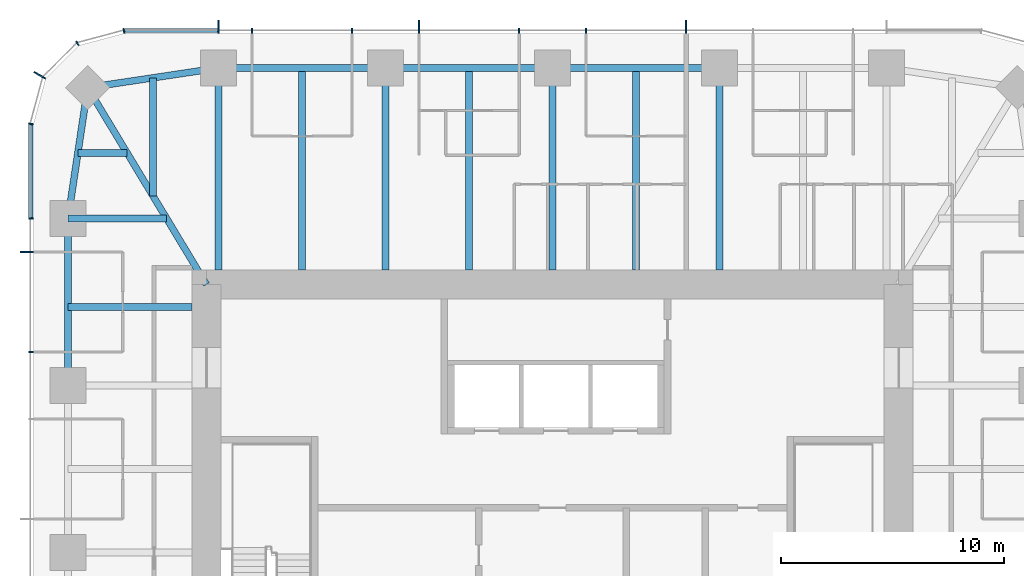
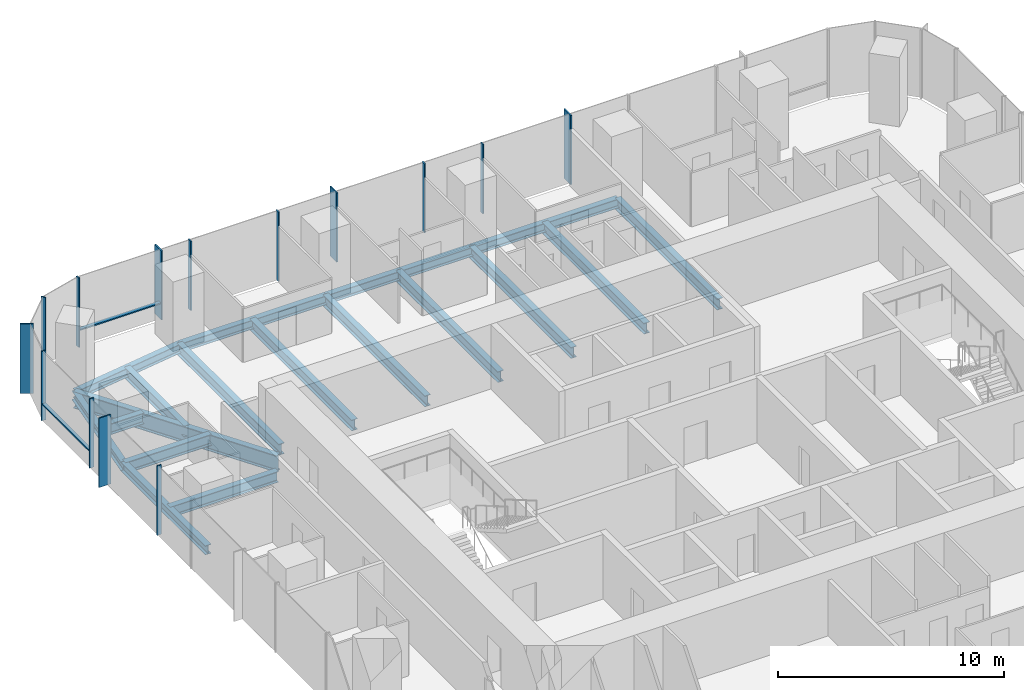
# One storey, part 5 of 12: 18 beams, 16 members, 3 elements without a shape of their own.
"""IFC4 building model written with IfcOpenShell, lengths in metres."""

from ifc_helpers import new_model, si_unit, direction, frame, origin, origin_2d, place, context, subcontext, project, spatial, rectangle, i_section, extrude, material, material_profile, profile_set, type_object, element, aggregate, save


model = new_model("IFC4")

# Units and contexts
model_context = context("Model", 3, precision=1e-05, world=origin(), true_north=direction((0.0, 1.0)))
body_context = subcontext(model_context, "Body", "Model", "MODEL_VIEW")
ifc_project = project(units=[si_unit("LENGTHUNIT", "METRE"), si_unit("AREAUNIT", "SQUARE_METRE"), si_unit("VOLUMEUNIT", "CUBIC_METRE"), si_unit("PLANEANGLEUNIT", "RADIAN"), si_unit("MASSUNIT", "GRAM", prefix="KILO")], contexts=[model_context])

# Site, building, storey
site_placement = place(None, origin())
site = spatial("IfcSite", under=ifc_project, at=site_placement, CompositionType="ELEMENT")
building_placement = place(site_placement, origin())
building = spatial("IfcBuilding", under=site, at=building_placement, Name="Khuree Lantern Residences", CompositionType="ELEMENT")
storey_placement = place(building_placement, frame((0.0, 0.0, 323.25)))
storey = spatial("IfcBuildingStorey", under=building, at=storey_placement, Name="L81", CompositionType="ELEMENT", Elevation=323.25)

# Beams
ifc_material_1 = material(Name="Steel S355", Category="steel")
ifc_material_profile_1 = material_profile(ifc_material_1, i_section(OverallWidth=0.300048828125, OverallDepth=0.590087890625, WebThickness=0.012939453125, FlangeThickness=0.02490234375, FilletRadius=0.027099609375, at=origin_2d()), Name="HE 600 A")
ifc_profile_set_1 = profile_set([ifc_material_profile_1], Name="Steel S355")
beam_type_1 = type_object("IfcBeamType", Name="B-43 SECONDARY BEAM HE 600 A", PredefinedType="BEAM", material=ifc_profile_set_1)
for number, where, z_axis, x_axis, name in (
    (1, (-11.219970703125, 21.699951171875, -0.544921875), (0.0, -1.0, 0.0), (1.0, 0.0, 0.0), "Secondary beam N1"),
    (2, (-3.739990234375, 21.699951171875, -0.544921875), (0.0, -1.0, 0.0), (1.0, 0.0, 0.0), "Secondary beam N2"),
    (3, (3.739990234375, 21.699951171875, -0.544921875), (0.0, -1.0, 0.0), (1.0, 0.0, 0.0), "Secondary beam N3"),
):
    element("IfcBeam", number, at=place(storey_placement, frame(where, z_axis=z_axis, x_axis=x_axis)), inside=storey, type_object=beam_type_1, Name=name, PredefinedType="BEAM", context=body_context, shape_type="SweptSolid", body=[
        extrude(i_section(OverallWidth=0.300048828125, OverallDepth=0.590087890625, WebThickness=0.012939453125, FlangeThickness=0.02490234375, FilletRadius=0.027099609375, at=origin_2d()), origin(), (0.0, 0.0, 1.0), 9.050048828125),
    ])
beam_1_placement = place(storey_placement, frame((-21.699951171875, 11.0, -0.544921875), z_axis=(1.0, 0.0, 0.0), x_axis=(0.0, 1.0, 0.0)))
element("IfcBeam", 4, at=beam_1_placement, inside=storey, type_object=beam_type_1, Name="Secondary beam W5", PredefinedType="BEAM", context=body_context, shape_type="SweptSolid", body=[
    extrude(i_section(OverallWidth=0.300048828125, OverallDepth=0.590087890625, WebThickness=0.012939453125, FlangeThickness=0.02490234375, FilletRadius=0.027099609375, at=origin_2d()), origin(), (0.0, 0.0, 1.0), 5.550048828125),
])
beam_2_placement = place(storey_placement, frame((-21.2607421875, 17.890625, -0.544921875), z_axis=(1.0, 0.0, 0.0), x_axis=(0.0, 1.0, 0.0)))
element("IfcBeam", 5, at=beam_2_placement, inside=storey, type_object=beam_type_1, Name="Secondary beam W6", PredefinedType="BEAM", context=body_context, shape_type="SweptSolid", body=[
    extrude(i_section(OverallWidth=0.300048828125, OverallDepth=0.590087890625, WebThickness=0.012939453125, FlangeThickness=0.02490234375, FilletRadius=0.027099609375, at=origin_2d()), origin(), (0.0, 0.0, 1.0), 2.207275390625),
])
beam_3_placement = place(storey_placement, frame((-17.890625, 21.2607421875, -0.544921875), z_axis=(0.0, -1.0, 0.0), x_axis=(1.0, 0.0, 0.0)))
element("IfcBeam", 6, at=beam_3_placement, inside=storey, type_object=beam_type_1, Name="Secondary beam N6", PredefinedType="BEAM", context=body_context, shape_type="SweptSolid", body=[
    extrude(i_section(OverallWidth=0.300048828125, OverallDepth=0.590087890625, WebThickness=0.012939453125, FlangeThickness=0.02490234375, FilletRadius=0.027099609375, at=origin_2d()), origin(), (0.0, 0.0, 1.0), 5.297607421875),
])
ifc_material_profile_2 = material_profile(ifc_material_1, i_section(OverallWidth=0.300048828125, OverallDepth=0.489990234375, WebThickness=0.011962890625, FlangeThickness=0.02294921875, FilletRadius=0.027099609375, at=origin_2d()), Name="HE 500 A")
ifc_profile_set_2 = profile_set([ifc_material_profile_2], Name="Steel S355")
beam_type_2 = type_object("IfcBeamType", Name="E-43 SPANDREL BEAM HE 500 A", PredefinedType="SPANDREL", material=ifc_profile_set_2)
for number, where, z_axis, x_axis, name in (
    (7, (-14.9599609375, 21.699951171875, -0.4951171875), (1.0, 0.0, 0.0), (0.0, 1.0, 0.0), "Spandrel beam N1"),
    (8, (-7.47998046875, 21.699951171875, -0.4951171875), (1.0, 0.0, 0.0), (0.0, 1.0, 0.0), "Spandrel beam N2"),
    (9, (0.0, 21.699951171875, -0.4951171875), (1.0, 0.0, 0.0), (0.0, 1.0, 0.0), "Spandrel beam N3"),
    (10, (-21.699951171875, 7.47998046875, -0.4951171875), (0.0, 1.0, 0.0), (-1.0, 0.0, 0.0), "Spandrel beam W5"),
):
    element("IfcBeam", number, at=place(storey_placement, frame(where, z_axis=z_axis, x_axis=x_axis)), inside=storey, type_object=beam_type_2, Name=name, PredefinedType="SPANDREL", context=body_context, shape_type="SweptSolid", body=[
        extrude(i_section(OverallWidth=0.300048828125, OverallDepth=0.489990234375, WebThickness=0.011962890625, FlangeThickness=0.02294921875, FilletRadius=0.027099609375, at=origin_2d()), origin(), (0.0, 0.0, 1.0), 7.47998046875),
    ])
for number, where, z_axis, x_axis, name in (
    (11, (-21.699951171875, 14.9599609375, -0.4951171875), (0.148251822985, 0.988949643299, 0.0), (-0.988949643299, 0.148251822985, 0.0), "Spandrel beam W6"),
    (12, (-20.8212890625, 20.8212890625, -0.4951171875), (0.988949643299, 0.148251822985, 0.0), (-0.148251822985, 0.988949643299, 0.0), "Spandrel beam N6"),
):
    element("IfcBeam", number, at=place(storey_placement, frame(where, z_axis=z_axis, x_axis=x_axis)), inside=storey, type_object=beam_type_2, Name=name, PredefinedType="SPANDREL", context=body_context, shape_type="SweptSolid", body=[
        extrude(i_section(OverallWidth=0.300048828125, OverallDepth=0.489990234375, WebThickness=0.011962890625, FlangeThickness=0.02294921875, FilletRadius=0.027099609375, at=origin_2d()), origin(), (0.0, 0.0, 1.0), 5.9267578125),
    ])

# Curtain wall, members
ifc_material_2 = material(Name="Bronze anodised aluminium", Category="aluminium")
curtain_wall_type_1 = type_object("IfcCurtainWallType", Name="CW-T1 TOWER FACE CURTAIN WALL", PredefinedType="USERDEFINED", material=ifc_material_2)
curtain_wall_1_placement = place(storey_placement, origin())
curtain_wall_1 = element("IfcCurtainWall", 13, at=curtain_wall_1_placement, inside=storey, type_object=curtain_wall_type_1, Name="L81 NORTH FACE CURTAIN WALL", ObjectType="Stick-built curtain wall", PredefinedType="USERDEFINED")
ifc_material_profile_3 = material_profile(ifc_material_2, rectangle(XDim=0.06494140625, YDim=0.60009765625, at=origin_2d()), Name="F1 65X600")
ifc_profile_set_3 = profile_set([ifc_material_profile_3], Name="Bronze anodised aluminium")
member_type_1 = type_object("IfcMemberType", Name="F1 BRONZE FIN MULLION TOWER 65X600", PredefinedType="MULLION", material=ifc_profile_set_3)
member_1_placement = place(storey_placement, frame((5.98388671875, 23.550048828125, 0.0), z_axis=(0.0, 0.0, 1.0), x_axis=(-1.0, 0.0, 0.0)))
member_1 = element("IfcMember", 14, at=member_1_placement, type_object=member_type_1, Name="L81 NORTH FACE FIN MULLION 22", PredefinedType="MULLION", context=body_context, shape_type="SweptSolid", body=[
    extrude(rectangle(XDim=0.06494140625, YDim=0.60009765625, at=origin_2d()), origin(), (0.0, 0.0, 1.0), 3.75),
])
member_2_placement = place(storey_placement, frame((-5.98388671875, 23.550048828125, 0.0), z_axis=(0.0, 0.0, 1.0), x_axis=(-1.0, 0.0, 0.0)))
member_2 = element("IfcMember", 15, at=member_2_placement, type_object=member_type_1, Name="L81 NORTH FACE FIN MULLION 25", PredefinedType="MULLION", context=body_context, shape_type="SweptSolid", body=[
    extrude(rectangle(XDim=0.06494140625, YDim=0.60009765625, at=origin_2d()), origin(), (0.0, 0.0, 1.0), 3.75),
])
member_3_placement = place(storey_placement, frame((-14.9599609375, 23.550048828125, 0.0), z_axis=(0.0, 0.0, 1.0), x_axis=(-1.0, 0.0, 0.0)))
member_3 = element("IfcMember", 16, at=member_3_placement, type_object=member_type_1, Name="L81 NORTH FACE FIN MULLION 28", PredefinedType="MULLION", context=body_context, shape_type="SweptSolid", body=[
    extrude(rectangle(XDim=0.06494140625, YDim=0.60009765625, at=origin_2d()), origin(), (0.0, 0.0, 1.0), 3.75),
])

# Curtain wall, member
curtain_wall_type_2 = type_object("IfcCurtainWallType", Name="CW-T2 TOWER CORNER CURTAIN WALL", PredefinedType="USERDEFINED", material=ifc_material_2)
curtain_wall_2_placement = place(storey_placement, origin())
curtain_wall_2 = element("IfcCurtainWall", 17, at=curtain_wall_2_placement, inside=storey, type_object=curtain_wall_type_2, Name="L81 NORTH-WEST CORNER CURTAIN WALL", ObjectType="Faceted corner curtain wall", PredefinedType="USERDEFINED")
member_4_placement = place(storey_placement, frame((-22.96728515625, 21.375, 0.0), z_axis=(0.0, 0.0, 1.0), x_axis=(-0.49999994149, -0.866025437565, 0.0)))
member_4 = element("IfcMember", 18, at=member_4_placement, type_object=member_type_1, Name="L81 NORTH-WEST CORNER FIN MULLION 31", PredefinedType="MULLION", context=body_context, shape_type="SweptSolid", body=[
    extrude(rectangle(XDim=0.06494140625, YDim=0.60009765625, at=origin_2d()), origin(), (0.0, 0.0, 1.0), 3.75),
])

curtain_wall_3_placement = place(storey_placement, origin())
curtain_wall_3 = element("IfcCurtainWall", 19, at=curtain_wall_3_placement, inside=storey, type_object=curtain_wall_type_1, Name="L81 WEST FACE CURTAIN WALL", ObjectType="Stick-built curtain wall", PredefinedType="USERDEFINED")
member_5_placement = place(storey_placement, frame((-23.550048828125, 13.464111328125, 0.0), z_axis=(0.0, 0.0, 1.0), x_axis=(0.0, -1.0, 0.0)))
member_5 = element("IfcMember", 20, at=member_5_placement, type_object=member_type_1, Name="L81 WEST FACE FIN MULLION 34", PredefinedType="MULLION", context=body_context, shape_type="SweptSolid", body=[
    extrude(rectangle(XDim=0.06494140625, YDim=0.60009765625, at=origin_2d()), origin(), (0.0, 0.0, 1.0), 3.75),
])

# Beams
ifc_material_profile_4 = material_profile(ifc_material_1, i_section(OverallWidth=0.300048828125, OverallDepth=0.60009765625, WebThickness=0.015380859375, FlangeThickness=0.030029296875, FilletRadius=0.027099609375, at=origin_2d()), Name="HE 600 B")
ifc_profile_set_4 = profile_set([ifc_material_profile_4], Name="Steel S355")
beam_type_3 = type_object("IfcBeamType", Name="G-43 GIRDER HE 600 B", PredefinedType="BEAM", material=ifc_profile_set_4)
for number, where, z_axis, x_axis, name in (
    (21, (-14.9599609375, 21.699951171875, -0.550048828125), (0.0, -1.0, 0.0), (1.0, 0.0, 0.0), "Girder N1"),
    (22, (-7.47998046875, 21.699951171875, -0.550048828125), (0.0, -1.0, 0.0), (1.0, 0.0, 0.0), "Girder N2"),
    (23, (0.0, 21.699951171875, -0.550048828125), (0.0, -1.0, 0.0), (1.0, 0.0, 0.0), "Girder N3"),
    (24, (7.47998046875, 21.699951171875, -0.550048828125), (0.0, -1.0, 0.0), (1.0, 0.0, 0.0), "Girder N4"),
):
    element("IfcBeam", number, at=place(storey_placement, frame(where, z_axis=z_axis, x_axis=x_axis)), inside=storey, type_object=beam_type_3, Name=name, PredefinedType="BEAM", context=body_context, shape_type="SweptSolid", body=[
        extrude(i_section(OverallWidth=0.300048828125, OverallDepth=0.60009765625, WebThickness=0.015380859375, FlangeThickness=0.030029296875, FilletRadius=0.027099609375, at=origin_2d()), origin(), (0.0, 0.0, 1.0), 9.050048828125),
    ])
beam_4_placement = place(storey_placement, frame((-21.699951171875, 14.9599609375, -0.550048828125), z_axis=(1.0, 0.0, 0.0), x_axis=(0.0, 1.0, 0.0)))
element("IfcBeam", 25, at=beam_4_placement, inside=storey, type_object=beam_type_3, Name="Girder W5", PredefinedType="BEAM", context=body_context, shape_type="SweptSolid", body=[
    extrude(i_section(OverallWidth=0.300048828125, OverallDepth=0.60009765625, WebThickness=0.015380859375, FlangeThickness=0.030029296875, FilletRadius=0.027099609375, at=origin_2d()), origin(), (0.0, 0.0, 1.0), 4.414306640625),
])
ifc_material_profile_5 = material_profile(ifc_material_1, i_section(OverallWidth=0.300048828125, OverallDepth=0.89990234375, WebThickness=0.0185546875, FlangeThickness=0.034912109375, FilletRadius=0.030029296875, at=origin_2d()), Name="HE 900 B")
ifc_profile_set_5 = profile_set([ifc_material_profile_5], Name="Steel S355")
beam_type_4 = type_object("IfcBeamType", Name="GD-43 CORNER GIRDER HE 900 B", PredefinedType="BEAM", material=ifc_profile_set_5)
beam_5_placement = place(storey_placement, frame((-20.8212890625, 20.8212890625, -0.699951171875), z_axis=(0.516529577604, -0.856269347495, 0.0), x_axis=(0.856269347495, 0.516529577604, 0.0)))
element("IfcBeam", 26, at=beam_5_placement, inside=storey, type_object=beam_type_4, Name="Corner girder NW", PredefinedType="BEAM", context=body_context, shape_type="SweptSolid", body=[
    extrude(i_section(OverallWidth=0.300048828125, OverallDepth=0.89990234375, WebThickness=0.0185546875, FlangeThickness=0.034912109375, FilletRadius=0.030029296875, at=origin_2d()), origin(), (0.0, 0.0, 1.0), 10.302001953125),
])

# Member
ifc_material_profile_6 = material_profile(ifc_material_2, rectangle(XDim=0.06494140625, YDim=0.219970703125, at=origin_2d()), Name="M1 65X220")
ifc_profile_set_6 = profile_set([ifc_material_profile_6], Name="Bronze anodised aluminium")
member_type_2 = type_object("IfcMemberType", Name="M1 BRONZE MULLION TOWER 65X220", PredefinedType="MULLION", material=ifc_profile_set_6)
member_6_placement = place(storey_placement, frame((1.49609375, 23.360107421875, 0.0), z_axis=(0.0, 0.0, 1.0), x_axis=(-1.0, 0.0, 0.0)))
member_6 = element("IfcMember", 27, at=member_6_placement, type_object=member_type_2, Name="L81 NORTH FACE MULLION 23", PredefinedType="MULLION", context=body_context, shape_type="SweptSolid", body=[
    extrude(rectangle(XDim=0.06494140625, YDim=0.219970703125, at=origin_2d()), origin(), (0.0, 0.0, 1.0), 3.75),
])

member_7_placement = place(storey_placement, frame((-1.49609375, 23.360107421875, 0.0), z_axis=(0.0, 0.0, 1.0), x_axis=(-1.0, 0.0, 0.0)))
member_7 = element("IfcMember", 28, at=member_7_placement, type_object=member_type_2, Name="L81 NORTH FACE MULLION 24", PredefinedType="MULLION", context=body_context, shape_type="SweptSolid", body=[
    extrude(rectangle(XDim=0.06494140625, YDim=0.219970703125, at=origin_2d()), origin(), (0.0, 0.0, 1.0), 3.75),
])

member_8_placement = place(storey_placement, frame((-8.97607421875, 23.360107421875, 0.0), z_axis=(0.0, 0.0, 1.0), x_axis=(-1.0, 0.0, 0.0)))
member_8 = element("IfcMember", 29, at=member_8_placement, type_object=member_type_2, Name="L81 NORTH FACE MULLION 26", PredefinedType="MULLION", context=body_context, shape_type="SweptSolid", body=[
    extrude(rectangle(XDim=0.06494140625, YDim=0.219970703125, at=origin_2d()), origin(), (0.0, 0.0, 1.0), 3.75),
])

member_9_placement = place(storey_placement, frame((-13.464111328125, 23.360107421875, 0.0), z_axis=(0.0, 0.0, 1.0), x_axis=(-1.0, 0.0, 0.0)))
member_9 = element("IfcMember", 30, at=member_9_placement, type_object=member_type_2, Name="L81 NORTH FACE MULLION 27", PredefinedType="MULLION", context=body_context, shape_type="SweptSolid", body=[
    extrude(rectangle(XDim=0.06494140625, YDim=0.219970703125, at=origin_2d()), origin(), (0.0, 0.0, 1.0), 3.75),
])

member_10_placement = place(storey_placement, frame((-19.195068359375, 23.36181640625, 0.0), z_axis=(0.0, 0.0, 1.0), x_axis=(-0.991444870192, -0.130526125236, 0.0)))
member_10 = element("IfcMember", 31, at=member_10_placement, type_object=member_type_2, Name="L81 NORTH-WEST CORNER MULLION 29", PredefinedType="MULLION", context=body_context, shape_type="SweptSolid", body=[
    extrude(rectangle(XDim=0.06494140625, YDim=0.219970703125, at=origin_2d()), origin(), (0.0, 0.0, 1.0), 3.75),
])

member_11_placement = place(storey_placement, frame((-21.280029296875, 22.802734375, 0.0), z_axis=(0.0, 0.0, 1.0), x_axis=(-0.866025437565, -0.49999994149, 0.0)))
member_11 = element("IfcMember", 32, at=member_11_placement, type_object=member_type_2, Name="L81 NORTH-WEST CORNER MULLION 30", PredefinedType="MULLION", context=body_context, shape_type="SweptSolid", body=[
    extrude(rectangle(XDim=0.06494140625, YDim=0.219970703125, at=origin_2d()), origin(), (0.0, 0.0, 1.0), 3.75),
])

aggregate(curtain_wall_2, [member_10, member_11, member_4])

member_12_placement = place(storey_placement, frame((-23.36181640625, 19.195068359375, 0.0), z_axis=(0.0, 0.0, 1.0), x_axis=(-0.130526125236, -0.991444870192, 0.0)))
member_12 = element("IfcMember", 33, at=member_12_placement, type_object=member_type_2, Name="L81 WEST FACE MULLION 32", PredefinedType="MULLION", context=body_context, shape_type="SweptSolid", body=[
    extrude(rectangle(XDim=0.06494140625, YDim=0.219970703125, at=origin_2d()), origin(), (0.0, 0.0, 1.0), 3.75),
])

member_13_placement = place(storey_placement, frame((-23.360107421875, 14.9599609375, 0.0), z_axis=(0.0, 0.0, 1.0), x_axis=(0.0, -1.0, 0.0)))
member_13 = element("IfcMember", 34, at=member_13_placement, type_object=member_type_2, Name="L81 WEST FACE MULLION 33", PredefinedType="MULLION", context=body_context, shape_type="SweptSolid", body=[
    extrude(rectangle(XDim=0.06494140625, YDim=0.219970703125, at=origin_2d()), origin(), (0.0, 0.0, 1.0), 3.75),
])

member_14_placement = place(storey_placement, frame((-23.360107421875, 8.97607421875, 0.0), z_axis=(0.0, 0.0, 1.0), x_axis=(0.0, -1.0, 0.0)))
member_14 = element("IfcMember", 35, at=member_14_placement, type_object=member_type_2, Name="L81 WEST FACE MULLION 35", PredefinedType="MULLION", context=body_context, shape_type="SweptSolid", body=[
    extrude(rectangle(XDim=0.06494140625, YDim=0.219970703125, at=origin_2d()), origin(), (0.0, 0.0, 1.0), 3.75),
])

ifc_material_profile_7 = material_profile(ifc_material_2, rectangle(XDim=0.179931640625, YDim=0.06494140625, at=origin_2d()), Name="T1 180X65")
ifc_profile_set_7 = profile_set([ifc_material_profile_7], Name="Bronze anodised aluminium")
member_type_3 = type_object("IfcMemberType", Name="TRANSOM T1 TOWER 180X65", PredefinedType="USERDEFINED", material=ifc_profile_set_7)
member_15_placement = place(storey_placement, frame((-14.992431640625, 23.3701171875, 0.89990234375), z_axis=(-1.0, 0.0, 0.0), x_axis=(0.0, -1.0, 0.0)))
member_15 = element("IfcMember", 36, at=member_15_placement, type_object=member_type_3, Name="L81 NORTH FACE TRANSOM 28.1", ObjectType="Transom", PredefinedType="USERDEFINED", context=body_context, shape_type="SweptSolid", body=[
    extrude(rectangle(XDim=0.179931640625, YDim=0.06494140625, at=origin_2d()), origin(), (0.0, 0.0, 1.0), 4.158935546875),
])

aggregate(curtain_wall_1, [member_1, member_6, member_7, member_2, member_8, member_9, member_3, member_15])

member_16_placement = place(storey_placement, frame((-23.3701171875, 19.1513671875, 0.89990234375), z_axis=(0.0, -1.0, 0.0), x_axis=(1.0, 0.0, 0.0)))
member_16 = element("IfcMember", 37, at=member_16_placement, type_object=member_type_3, Name="L81 WEST FACE TRANSOM 32.1", ObjectType="Transom", PredefinedType="USERDEFINED", context=body_context, shape_type="SweptSolid", body=[
    extrude(rectangle(XDim=0.179931640625, YDim=0.06494140625, at=origin_2d()), origin(), (0.0, 0.0, 1.0), 4.158935546875),
])

aggregate(curtain_wall_3, [member_12, member_13, member_5, member_14, member_16])

save(model, "model.ifc")
